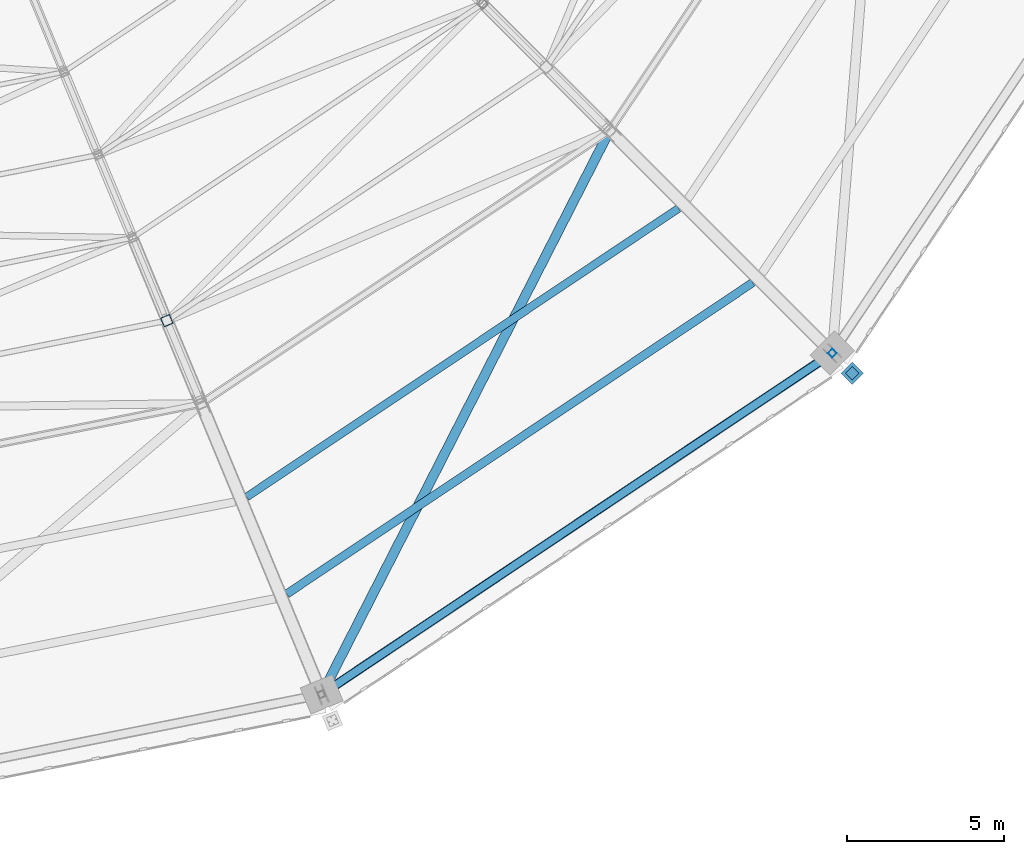
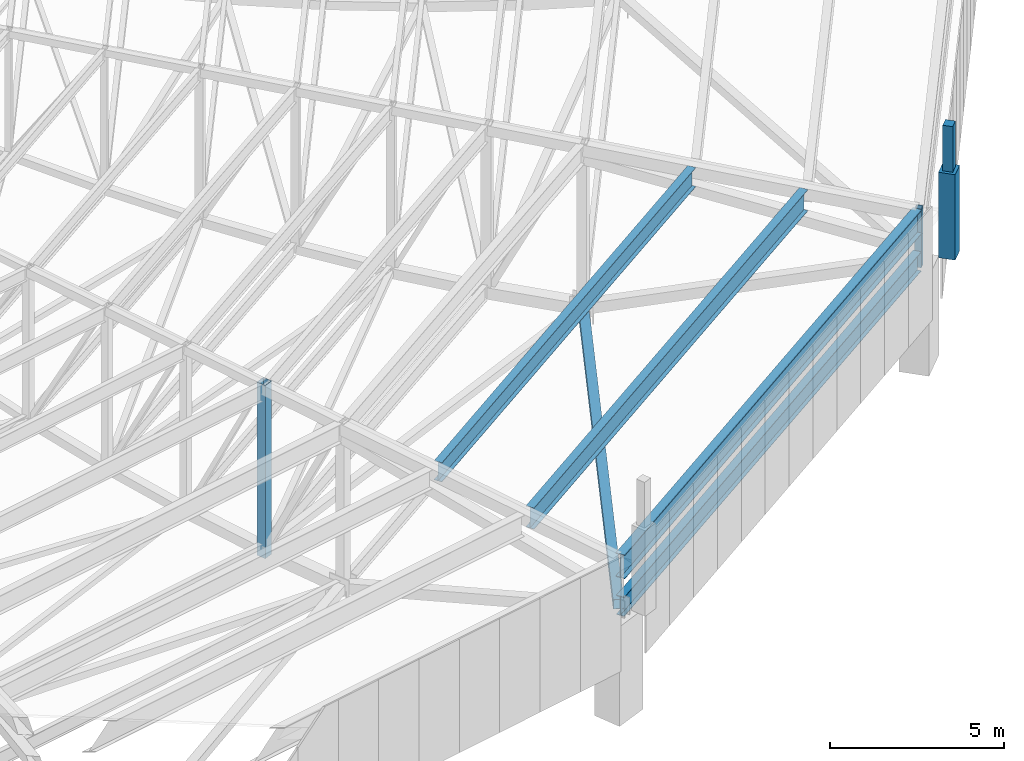
# One storey, part 43 of 278: 7 members, 2 beams.
"""IFC4 building model written with IfcOpenShell, lengths in metres."""

from ifc_helpers import new_model, si_unit, direction, frame, origin, origin_2d, place, context, subcontext, project, spatial, rectangle, hollow_rectangle, i_section, extrude, material, material_profile, profile_set, type_object, element, save


model = new_model("IFC4")

# Units and contexts
model_context = context("Model", 3, precision=1e-05, world=origin(), true_north=direction((0.0, 1.0)))
body_context = subcontext(model_context, "Body", "Model", "MODEL_VIEW")
ifc_project = project(units=[si_unit("LENGTHUNIT", "METRE"), si_unit("AREAUNIT", "SQUARE_METRE"), si_unit("VOLUMEUNIT", "CUBIC_METRE"), si_unit("PLANEANGLEUNIT", "RADIAN"), si_unit("MASSUNIT", "GRAM", prefix="KILO")], contexts=[model_context])

# Site, building, storey
site_placement = place(None, origin())
site = spatial("IfcSite", under=ifc_project, at=site_placement, CompositionType="ELEMENT")
building_placement = place(site_placement, origin())
building = spatial("IfcBuilding", under=site, at=building_placement, Name="Ogive Plaza Stadium", CompositionType="ELEMENT")
storey_placement = place(building_placement, frame((0.0, 0.0, 29.0)))
storey = spatial("IfcBuildingStorey", under=building, at=storey_placement, Name="Roof", CompositionType="ELEMENT", Elevation=29.0)

# Members
ifc_material_1 = material(Name="Concrete C45/55 precast", Category="concrete")
ifc_material_profile_1 = material_profile(ifc_material_1, rectangle(XDim=0.5, YDim=0.5, at=origin_2d()), Name="RC 500x500")
ifc_profile_set_1 = profile_set([ifc_material_profile_1], Name="Concrete C45/55 precast")
member_type_1 = type_object("IfcMemberType", Name="Precast pinnacle 500x500", PredefinedType="POST", material=ifc_profile_set_1)
member_1_placement = place(storey_placement, frame((69.99169921875, -88.49169921875, 4.0), z_axis=(0.0, 0.0, 1.0), x_axis=(0.707106781187, 0.707106781187, 0.0)))
element("IfcMember", 1, at=member_1_placement, inside=storey, type_object=member_type_1, Name="PINNACLE R10", PredefinedType="POST", context=body_context, shape_type="SweptSolid", body=[
    extrude(rectangle(XDim=0.5, YDim=0.5, at=origin_2d()), origin(), (0.0, 0.0, 1.0), 3.0),
])
ifc_material_2 = material(Name="Concrete C45/55 precast", Category="concrete")
ifc_material_profile_2 = material_profile(ifc_material_2, rectangle(XDim=0.300048828125, YDim=0.300048828125, at=origin_2d()), Name="RC 300x300")
ifc_profile_set_2 = profile_set([ifc_material_profile_2], Name="Concrete C45/55 precast")
member_type_2 = type_object("IfcMemberType", Name="Precast spire 300x300", PredefinedType="MEMBER", material=ifc_profile_set_2)
member_2_placement = place(storey_placement, frame((69.99169921875, -88.49169921875, 7.0), z_axis=(0.0, 0.0, 1.0), x_axis=(0.707106781187, 0.707106781187, 0.0)))
element("IfcMember", 2, at=member_2_placement, inside=storey, type_object=member_type_2, Name="SPIRE R10", PredefinedType="MEMBER", context=body_context, shape_type="SweptSolid", body=[
    extrude(rectangle(XDim=0.300048828125, YDim=0.300048828125, at=origin_2d()), origin(), (0.0, 0.0, 1.0), 1.60009765625),
])
ifc_material_3 = material(Name="Steel ASTM A500 Grade C", Category="steel")
ifc_material_profile_3 = material_profile(ifc_material_3, hollow_rectangle(XDim=0.3046875, YDim=0.3046875, WallThickness=0.0087890625, at=origin_2d()), Name="HSS12X12X3/8")
ifc_profile_set_3 = profile_set([ifc_material_profile_3], Name="Steel ASTM A500 Grade C")
member_type_3 = type_object("IfcMemberType", Name="Roof plan brace HSS12X12X3/8", PredefinedType="BRACE", material=ifc_profile_set_3)
member_3_placement = place(storey_placement, frame((62.20263671875, -80.944091796875, 0.234130859375), z_axis=(-0.448328226309, -0.877506938621, 0.170245041535), x_axis=(0.890506771447, -0.454969988029, 0.0)))
element("IfcMember", 3, at=member_3_placement, inside=storey, type_object=member_type_3, Name="ROOF BRACE B10 11", PredefinedType="BRACE", context=body_context, shape_type="SweptSolid", body=[
    extrude(hollow_rectangle(XDim=0.3046875, YDim=0.3046875, WallThickness=0.0087890625, at=origin_2d()), origin(), (0.0, 0.0, 1.0), 19.99072265625),
])
ifc_material_4 = material(Name="Steel ASTM A992 Grade 50", Category="steel")
ifc_material_profile_4 = material_profile(ifc_material_4, i_section(OverallWidth=0.2529296875, OverallDepth=0.678466796875, WebThickness=0.01171875, FlangeThickness=0.016357421875, at=origin_2d()), Name="W27X84")
ifc_profile_set_4 = profile_set([ifc_material_profile_4], Name="Steel ASTM A992 Grade 50")
member_type_4 = type_object("IfcMemberType", Name="Roof plan strut W27X84", PredefinedType="STRUT", material=ifc_profile_set_4)
member_4_placement = place(storey_placement, frame((69.273193359375, -87.91015625, 3.677734375), z_axis=(-0.831466346809, -0.555575120146, 0.0), x_axis=(0.555575120146, -0.831466346809, 0.0)))
element("IfcMember", 4, at=member_4_placement, inside=storey, type_object=member_type_4, Name="ROOF STRUT B10 11", PredefinedType="STRUT", context=body_context, shape_type="SweptSolid", body=[
    extrude(i_section(OverallWidth=0.2529296875, OverallDepth=0.678466796875, WebThickness=0.01171875, FlangeThickness=0.016357421875, at=origin_2d()), origin(), (0.0, 0.0, 1.0), 19.3115234375),
])
ifc_material_5 = material(Name="Steel ASTM A992 Grade 50", Category="steel")
ifc_material_profile_5 = material_profile(ifc_material_5, i_section(OverallWidth=0.2529296875, OverallDepth=0.678466796875, WebThickness=0.01171875, FlangeThickness=0.016357421875, at=origin_2d()), Name="W27X84")
ifc_profile_set_5 = profile_set([ifc_material_profile_5], Name="Steel ASTM A992 Grade 50")
member_type_5 = type_object("IfcMemberType", Name="Roof purlin W27X84", PredefinedType="PURLIN", material=ifc_profile_set_5)
member_5_placement = place(storey_placement, frame((64.47314453125, -83.253662109375, 5.494140625), z_axis=(-0.831469477981, -0.555570434046, 0.0), x_axis=(0.555570434046, -0.831469477981, 0.0)))
element("IfcMember", 5, at=member_5_placement, inside=storey, type_object=member_type_5, Name="ROOF PURLIN B10 11", PredefinedType="PURLIN", context=body_context, shape_type="SweptSolid", body=[
    extrude(i_section(OverallWidth=0.2529296875, OverallDepth=0.678466796875, WebThickness=0.01171875, FlangeThickness=0.016357421875, at=origin_2d()), origin(), (0.0, 0.0, 1.0), 16.503173828125),
])
ifc_material_6 = material(Name="Steel ASTM A992 Grade 50", Category="steel")
ifc_material_profile_6 = material_profile(ifc_material_6, i_section(OverallWidth=0.26416015625, OverallDepth=0.75, WebThickness=0.011962890625, FlangeThickness=0.015380859375, at=origin_2d()), Name="W30X90")
ifc_profile_set_6 = profile_set([ifc_material_profile_6], Name="Steel ASTM A992 Grade 50")
member_type_6 = type_object("IfcMemberType", Name="Roof purlin W30X90", PredefinedType="PURLIN", material=ifc_profile_set_6)
member_6_placement = place(storey_placement, frame((66.8291015625, -85.611328125, 5.291748046875), z_axis=(-0.831463264893, -0.555579732472, 0.0), x_axis=(0.555579732472, -0.831463264893, 0.0)))
element("IfcMember", 6, at=member_6_placement, inside=storey, type_object=member_type_6, Name="ROOF PURLIN B10 12", PredefinedType="PURLIN", context=body_context, shape_type="SweptSolid", body=[
    extrude(i_section(OverallWidth=0.26416015625, OverallDepth=0.75, WebThickness=0.011962890625, FlangeThickness=0.015380859375, at=origin_2d()), origin(), (0.0, 0.0, 1.0), 17.801513671875),
])
ifc_material_7 = material(Name="Steel ASTM A992 Grade 50", Category="steel")
ifc_material_profile_7 = material_profile(ifc_material_7, i_section(OverallWidth=0.2919921875, OverallDepth=0.834716796875, WebThickness=0.013916015625, FlangeThickness=0.018798828125, at=origin_2d()), Name="W33X118")
ifc_profile_set_7 = profile_set([ifc_material_profile_7], Name="Steel ASTM A992 Grade 50")
member_type_7 = type_object("IfcMemberType", Name="Roof purlin W33X118", PredefinedType="PURLIN", material=ifc_profile_set_7)
member_7_placement = place(storey_placement, frame((69.27001953125, -87.912353515625, 5.082763671875), z_axis=(-0.831470010703, -0.55556963677, 0.0), x_axis=(0.55556963677, -0.831470010703, 0.0)))
element("IfcMember", 7, at=member_7_placement, inside=storey, type_object=member_type_7, Name="ROOF PURLIN B10 13", PredefinedType="PURLIN", context=body_context, shape_type="SweptSolid", body=[
    extrude(i_section(OverallWidth=0.2919921875, OverallDepth=0.834716796875, WebThickness=0.013916015625, FlangeThickness=0.018798828125, at=origin_2d()), origin(), (0.0, 0.0, 1.0), 19.3037109375),
])

# Beams
ifc_material_8 = material(Name="Steel ASTM A500 Grade C", Category="steel")
ifc_material_profile_8 = material_profile(ifc_material_8, hollow_rectangle(XDim=0.3046875, YDim=0.3046875, WallThickness=0.01171875, at=origin_2d()), Name="HSS12X12X1/2")
ifc_profile_set_8 = profile_set([ifc_material_profile_8], Name="Steel ASTM A500 Grade C")
beam_type_1 = type_object("IfcBeamType", Name="Roof truss post HSS12X12X1/2", PredefinedType="BEAM", material=ifc_profile_set_8)
beam_1_placement = place(storey_placement, frame((48.216796875, -86.822021484375, 0.064208984375), z_axis=(0.0, 0.0, 1.0), x_axis=(0.923879532511, 0.382683432365, 0.0)))
element("IfcBeam", 8, at=beam_1_placement, inside=storey, type_object=beam_type_1, Name="ROOF TRUSS T11 POST 10", PredefinedType="BEAM", context=body_context, shape_type="SweptSolid", body=[
    extrude(hollow_rectangle(XDim=0.3046875, YDim=0.3046875, WallThickness=0.01171875, at=origin_2d()), origin(), (0.0, 0.0, 1.0), 6.078369140625),
])
ifc_material_9 = material(Name="Steel ASTM A500 Grade C", Category="steel")
ifc_material_profile_9 = material_profile(ifc_material_9, hollow_rectangle(XDim=0.203125, YDim=0.203125, WallThickness=0.0087890625, at=origin_2d()), Name="HSS8X8X3/8")
ifc_profile_set_9 = profile_set([ifc_material_profile_9], Name="Steel ASTM A500 Grade C")
beam_type_2 = type_object("IfcBeamType", Name="Roof truss post HSS8X8X3/8", PredefinedType="BEAM", material=ifc_profile_set_9)
beam_2_placement = place(storey_placement, frame((69.355224609375, -87.855224609375, 3.43994140625), z_axis=(0.0, 0.0, 1.0), x_axis=(0.707106781187, 0.707106781187, 0.0)))
element("IfcBeam", 9, at=beam_2_placement, inside=storey, type_object=beam_type_2, Name="ROOF TRUSS T10 POST 12", PredefinedType="BEAM", context=body_context, shape_type="SweptSolid", body=[
    extrude(hollow_rectangle(XDim=0.203125, YDim=0.203125, WallThickness=0.0087890625, at=origin_2d()), origin(), (0.0, 0.0, 1.0), 2.06005859375),
])

save(model, "model.ifc")
